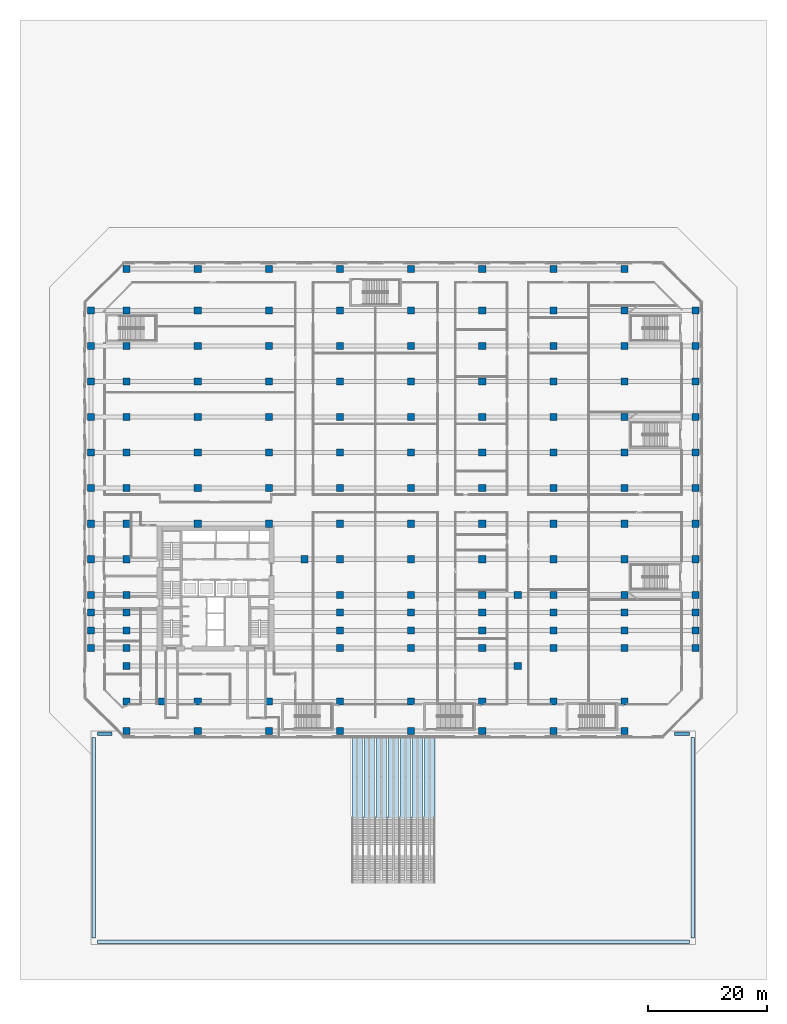
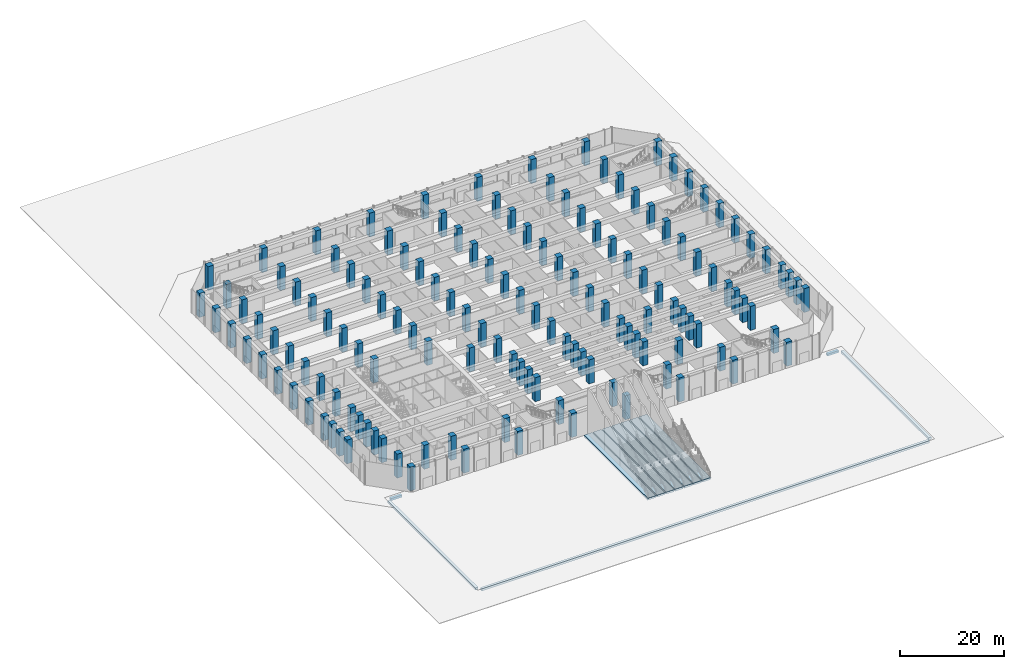
# One storey, part 1 of 32: 139 columns, 12 footings.
"""IFC4 building model written with IfcOpenShell, lengths in metres."""

from ifc_helpers import new_model, si_unit, direction, frame, origin, origin_2d, place, context, subcontext, project, spatial, rectangle, extrude, material, material_profile, profile_set, type_object, element, save


model = new_model("IFC4")

# Units and contexts
model_context = context("Model", 3, precision=1e-05, world=origin(), true_north=direction((0.0, 1.0)))
body_context = subcontext(model_context, "Body", "Model", "MODEL_VIEW")
ifc_project = project(units=[si_unit("LENGTHUNIT", "METRE"), si_unit("AREAUNIT", "SQUARE_METRE"), si_unit("VOLUMEUNIT", "CUBIC_METRE"), si_unit("PLANEANGLEUNIT", "RADIAN"), si_unit("MASSUNIT", "GRAM", prefix="KILO")], contexts=[model_context])

# Site, building, storey
site_placement = place(None, origin())
site = spatial("IfcSite", under=ifc_project, at=site_placement, CompositionType="ELEMENT")
building_placement = place(site_placement, origin())
building = spatial("IfcBuilding", under=site, at=building_placement, Name="Welwitschia Terrace Campus", CompositionType="ELEMENT")
storey_placement = place(building_placement, origin())
storey = spatial("IfcBuildingStorey", under=building, at=storey_placement, Name="L00", CompositionType="ELEMENT", Elevation=0.0)

# Footings
ifc_material_1 = material(Name="Concrete C40/50", Category="concrete")
footing_type_1 = type_object("IfcFootingType", Name="Edge strip footing 600x500", PredefinedType="STRIP_FOOTING", material=ifc_material_1)
for number, where, z_axis, x_axis, name in (
    (1, (93.70703125, -9.449951171875, -0.64990234375), (0.0, 0.0, 1.0), (-1.0, 0.0, 0.0), "Edge strip footing"),
    (2, (-3.70703125, -9.449951171875, -0.64990234375), (0.0, 0.0, 1.0), (-1.0, 0.0, 0.0), "Edge strip footing"),
):
    element("IfcFooting", number, at=place(storey_placement, frame(where, z_axis=z_axis, x_axis=x_axis)), inside=storey, type_object=footing_type_1, Name=name, PredefinedType="STRIP_FOOTING", context=body_context, shape_type="SweptSolid", body=[
        extrude(rectangle(XDim=2.48583984375, YDim=0.60009765625, at=origin_2d()), origin(), (0.0, 0.0, 1.0), 0.5),
    ])
footing_1_placement = place(storey_placement, frame((-5.550048828125, -27.0, -0.64990234375), z_axis=(0.0, 0.0, 1.0), x_axis=(0.0, -1.0, 0.0)))
element("IfcFooting", 3, at=footing_1_placement, inside=storey, type_object=footing_type_1, Name="Edge strip footing", PredefinedType="STRIP_FOOTING", context=body_context, shape_type="SweptSolid", body=[
    extrude(rectangle(XDim=33.89990234375, YDim=0.60009765625, at=origin_2d()), origin(), (0.0, 0.0, 1.0), 0.5),
])
footing_2_placement = place(storey_placement, frame((45.0, -44.550048828125, -0.64990234375), z_axis=(0.0, 0.0, 1.0), x_axis=(1.0, 0.0, 0.0)))
element("IfcFooting", 4, at=footing_2_placement, inside=storey, type_object=footing_type_1, Name="Edge strip footing", PredefinedType="STRIP_FOOTING", context=body_context, shape_type="SweptSolid", body=[
    extrude(rectangle(XDim=99.89990234375, YDim=0.60009765625, at=origin_2d()), origin(), (0.0, 0.0, 1.0), 0.5),
])
footing_3_placement = place(storey_placement, frame((95.550048828125, -27.0, -0.64990234375), z_axis=(0.0, 0.0, 1.0), x_axis=(0.0, 1.0, 0.0)))
element("IfcFooting", 5, at=footing_3_placement, inside=storey, type_object=footing_type_1, Name="Edge strip footing", PredefinedType="STRIP_FOOTING", context=body_context, shape_type="SweptSolid", body=[
    extrude(rectangle(XDim=33.89990234375, YDim=0.60009765625, at=origin_2d()), origin(), (0.0, 0.0, 1.0), 0.5),
])
ifc_material_2 = material(Name="Concrete C40/50", Category="concrete")
footing_type_2 = type_object("IfcFootingType", Name="Stair strip footing 1800x500", PredefinedType="STRIP_FOOTING", material=ifc_material_2)
for number, where, z_axis, x_axis, name in (
    (6, (38.892822265625, -22.300048828125, -0.5), (0.0, 0.0, 1.0), (1.0, 0.0, 0.0), "Stair strip footing"),
    (7, (40.9287109375, -22.300048828125, -0.5), (0.0, 0.0, 1.0), (1.0, 0.0, 0.0), "Stair strip footing"),
    (8, (42.96435546875, -22.300048828125, -0.5), (0.0, 0.0, 1.0), (1.0, 0.0, 0.0), "Stair strip footing"),
    (9, (45.0, -22.300048828125, -0.5), (0.0, 0.0, 1.0), (1.0, 0.0, 0.0), "Stair strip footing"),
    (10, (47.03564453125, -22.300048828125, -0.5), (0.0, 0.0, 1.0), (1.0, 0.0, 0.0), "Stair strip footing"),
    (11, (49.0712890625, -22.300048828125, -0.5), (0.0, 0.0, 1.0), (1.0, 0.0, 0.0), "Stair strip footing"),
    (12, (51.107177734375, -22.300048828125, -0.5), (0.0, 0.0, 1.0), (1.0, 0.0, 0.0), "Stair strip footing"),
):
    element("IfcFooting", number, at=place(storey_placement, frame(where, z_axis=z_axis, x_axis=x_axis)), inside=storey, type_object=footing_type_2, Name=name, PredefinedType="STRIP_FOOTING", context=body_context, shape_type="SweptSolid", body=[
        extrude(rectangle(XDim=1.800048828125, YDim=24.60009765625, at=origin_2d()), origin(), (0.0, 0.0, 1.0), 0.5),
    ])

# Columns
ifc_material_3 = material(Name="Concrete C60/75", Category="concrete")
ifc_material_profile = material_profile(ifc_material_3, rectangle(XDim=1.199951171875, YDim=1.199951171875, at=origin_2d()))
ifc_profile_set = profile_set([ifc_material_profile], Name="Concrete C60/75")
column_type = type_object("IfcColumnType", Name="Base column 1200x1200", PredefinedType="COLUMN", material=ifc_profile_set)
for number, where, z_axis, x_axis, name in (
    (13, (-6.0, 5.0, 0.0), (0.0, 0.0, 1.0), (1.0, 0.0, 0.0), "Column C1"),
    (14, (-6.0, 8.0, 0.0), (0.0, 0.0, 1.0), (1.0, 0.0, 0.0), "Column C1"),
    (15, (-6.0, 11.0, 0.0), (0.0, 0.0, 1.0), (1.0, 0.0, 0.0), "Column C1"),
    (16, (-6.0, 14.0, 0.0), (0.0, 0.0, 1.0), (1.0, 0.0, 0.0), "Column C1"),
    (17, (-6.0, 20.0, 0.0), (0.0, 0.0, 1.0), (1.0, 0.0, 0.0), "Column C1"),
    (18, (-6.0, 26.0, 0.0), (0.0, 0.0, 1.0), (1.0, 0.0, 0.0), "Column C1"),
    (19, (-6.0, 32.0, 0.0), (0.0, 0.0, 1.0), (1.0, 0.0, 0.0), "Column C1"),
    (20, (-6.0, 38.0, 0.0), (0.0, 0.0, 1.0), (1.0, 0.0, 0.0), "Column C1"),
    (21, (-6.0, 44.0, 0.0), (0.0, 0.0, 1.0), (1.0, 0.0, 0.0), "Column C1"),
    (22, (-6.0, 50.0, 0.0), (0.0, 0.0, 1.0), (1.0, 0.0, 0.0), "Column C1"),
    (23, (-6.0, 56.0, 0.0), (0.0, 0.0, 1.0), (1.0, 0.0, 0.0), "Column C1"),
    (24, (-6.0, 62.0, 0.0), (0.0, 0.0, 1.0), (1.0, 0.0, 0.0), "Column C1"),
    (25, (0.0, -9.0, 0.0), (0.0, 0.0, 1.0), (1.0, 0.0, 0.0), "Column C1"),
    (26, (0.0, -4.0, 0.0), (0.0, 0.0, 1.0), (1.0, 0.0, 0.0), "Column C1"),
    (27, (0.0, 2.0, 0.0), (0.0, 0.0, 1.0), (1.0, 0.0, 0.0), "Column C1"),
    (28, (0.0, 5.0, 0.0), (0.0, 0.0, 1.0), (1.0, 0.0, 0.0), "Column C1"),
    (29, (0.0, 8.0, 0.0), (0.0, 0.0, 1.0), (1.0, 0.0, 0.0), "Column C1"),
    (30, (0.0, 11.0, 0.0), (0.0, 0.0, 1.0), (1.0, 0.0, 0.0), "Column C1"),
    (31, (0.0, 14.0, 0.0), (0.0, 0.0, 1.0), (1.0, 0.0, 0.0), "Column C1"),
    (32, (0.0, 20.0, 0.0), (0.0, 0.0, 1.0), (1.0, 0.0, 0.0), "Column C1"),
    (33, (0.0, 26.0, 0.0), (0.0, 0.0, 1.0), (1.0, 0.0, 0.0), "Column C1"),
    (34, (0.0, 32.0, 0.0), (0.0, 0.0, 1.0), (1.0, 0.0, 0.0), "Column C1"),
    (35, (0.0, 38.0, 0.0), (0.0, 0.0, 1.0), (1.0, 0.0, 0.0), "Column C1"),
    (36, (0.0, 44.0, 0.0), (0.0, 0.0, 1.0), (1.0, 0.0, 0.0), "Column C1"),
    (37, (0.0, 50.0, 0.0), (0.0, 0.0, 1.0), (1.0, 0.0, 0.0), "Column C1"),
    (38, (0.0, 56.0, 0.0), (0.0, 0.0, 1.0), (1.0, 0.0, 0.0), "Column C1"),
    (39, (0.0, 62.0, 0.0), (0.0, 0.0, 1.0), (1.0, 0.0, 0.0), "Column C1"),
    (40, (0.0, 69.0, 0.0), (0.0, 0.0, 1.0), (1.0, 0.0, 0.0), "Column C1"),
    (41, (6.0, -4.0, 0.0), (0.0, 0.0, 1.0), (1.0, 0.0, 0.0), "Column C1"),
    (42, (12.0, -9.0, 0.0), (0.0, 0.0, 1.0), (1.0, 0.0, 0.0), "Column C1"),
    (43, (12.0, -4.0, 0.0), (0.0, 0.0, 1.0), (1.0, 0.0, 0.0), "Column C1"),
    (44, (12.0, 26.0, 0.0), (0.0, 0.0, 1.0), (1.0, 0.0, 0.0), "Column C1"),
    (45, (12.0, 32.0, 0.0), (0.0, 0.0, 1.0), (1.0, 0.0, 0.0), "Column C1"),
    (46, (12.0, 38.0, 0.0), (0.0, 0.0, 1.0), (1.0, 0.0, 0.0), "Column C1"),
    (47, (12.0, 44.0, 0.0), (0.0, 0.0, 1.0), (1.0, 0.0, 0.0), "Column C1"),
    (48, (12.0, 50.0, 0.0), (0.0, 0.0, 1.0), (1.0, 0.0, 0.0), "Column C1"),
    (49, (12.0, 56.0, 0.0), (0.0, 0.0, 1.0), (1.0, 0.0, 0.0), "Column C1"),
    (50, (12.0, 62.0, 0.0), (0.0, 0.0, 1.0), (1.0, 0.0, 0.0), "Column C1"),
    (51, (12.0, 69.0, 0.0), (0.0, 0.0, 1.0), (1.0, 0.0, 0.0), "Column C1"),
    (52, (24.0, -9.0, 0.0), (0.0, 0.0, 1.0), (1.0, 0.0, 0.0), "Column C1"),
    (53, (24.0, -4.0, 0.0), (0.0, 0.0, 1.0), (1.0, 0.0, 0.0), "Column C1"),
    (54, (24.0, 26.0, 0.0), (0.0, 0.0, 1.0), (1.0, 0.0, 0.0), "Column C1"),
    (55, (24.0, 32.0, 0.0), (0.0, 0.0, 1.0), (1.0, 0.0, 0.0), "Column C1"),
    (56, (24.0, 38.0, 0.0), (0.0, 0.0, 1.0), (1.0, 0.0, 0.0), "Column C1"),
    (57, (24.0, 44.0, 0.0), (0.0, 0.0, 1.0), (1.0, 0.0, 0.0), "Column C1"),
    (58, (24.0, 50.0, 0.0), (0.0, 0.0, 1.0), (1.0, 0.0, 0.0), "Column C1"),
    (59, (24.0, 56.0, 0.0), (0.0, 0.0, 1.0), (1.0, 0.0, 0.0), "Column C1"),
    (60, (24.0, 62.0, 0.0), (0.0, 0.0, 1.0), (1.0, 0.0, 0.0), "Column C1"),
    (61, (24.0, 69.0, 0.0), (0.0, 0.0, 1.0), (1.0, 0.0, 0.0), "Column C1"),
    (62, (30.0, 20.0, 0.0), (0.0, 0.0, 1.0), (1.0, 0.0, 0.0), "Column C1"),
    (63, (36.0, -9.0, 0.0), (0.0, 0.0, 1.0), (1.0, 0.0, 0.0), "Column C1"),
    (64, (36.0, -4.0, 0.0), (0.0, 0.0, 1.0), (1.0, 0.0, 0.0), "Column C1"),
    (65, (36.0, 5.0, 0.0), (0.0, 0.0, 1.0), (1.0, 0.0, 0.0), "Column C1"),
    (66, (36.0, 8.0, 0.0), (0.0, 0.0, 1.0), (1.0, 0.0, 0.0), "Column C1"),
    (67, (36.0, 11.0, 0.0), (0.0, 0.0, 1.0), (1.0, 0.0, 0.0), "Column C1"),
    (68, (36.0, 14.0, 0.0), (0.0, 0.0, 1.0), (1.0, 0.0, 0.0), "Column C1"),
    (69, (36.0, 20.0, 0.0), (0.0, 0.0, 1.0), (1.0, 0.0, 0.0), "Column C1"),
    (70, (36.0, 26.0, 0.0), (0.0, 0.0, 1.0), (1.0, 0.0, 0.0), "Column C1"),
    (71, (36.0, 32.0, 0.0), (0.0, 0.0, 1.0), (1.0, 0.0, 0.0), "Column C1"),
    (72, (36.0, 38.0, 0.0), (0.0, 0.0, 1.0), (1.0, 0.0, 0.0), "Column C1"),
    (73, (36.0, 44.0, 0.0), (0.0, 0.0, 1.0), (1.0, 0.0, 0.0), "Column C1"),
    (74, (36.0, 50.0, 0.0), (0.0, 0.0, 1.0), (1.0, 0.0, 0.0), "Column C1"),
    (75, (36.0, 56.0, 0.0), (0.0, 0.0, 1.0), (1.0, 0.0, 0.0), "Column C1"),
    (76, (36.0, 62.0, 0.0), (0.0, 0.0, 1.0), (1.0, 0.0, 0.0), "Column C1"),
    (77, (36.0, 69.0, 0.0), (0.0, 0.0, 1.0), (1.0, 0.0, 0.0), "Column C1"),
    (78, (48.0, -9.0, 0.0), (0.0, 0.0, 1.0), (1.0, 0.0, 0.0), "Column C1"),
    (79, (48.0, -4.0, 0.0), (0.0, 0.0, 1.0), (1.0, 0.0, 0.0), "Column C1"),
    (80, (48.0, 5.0, 0.0), (0.0, 0.0, 1.0), (1.0, 0.0, 0.0), "Column C1"),
    (81, (48.0, 8.0, 0.0), (0.0, 0.0, 1.0), (1.0, 0.0, 0.0), "Column C1"),
    (82, (48.0, 11.0, 0.0), (0.0, 0.0, 1.0), (1.0, 0.0, 0.0), "Column C1"),
    (83, (48.0, 14.0, 0.0), (0.0, 0.0, 1.0), (1.0, 0.0, 0.0), "Column C1"),
    (84, (48.0, 20.0, 0.0), (0.0, 0.0, 1.0), (1.0, 0.0, 0.0), "Column C1"),
    (85, (48.0, 26.0, 0.0), (0.0, 0.0, 1.0), (1.0, 0.0, 0.0), "Column C1"),
    (86, (48.0, 32.0, 0.0), (0.0, 0.0, 1.0), (1.0, 0.0, 0.0), "Column C1"),
    (87, (48.0, 38.0, 0.0), (0.0, 0.0, 1.0), (1.0, 0.0, 0.0), "Column C1"),
    (88, (48.0, 44.0, 0.0), (0.0, 0.0, 1.0), (1.0, 0.0, 0.0), "Column C1"),
    (89, (48.0, 50.0, 0.0), (0.0, 0.0, 1.0), (1.0, 0.0, 0.0), "Column C1"),
    (90, (48.0, 56.0, 0.0), (0.0, 0.0, 1.0), (1.0, 0.0, 0.0), "Column C1"),
    (91, (48.0, 62.0, 0.0), (0.0, 0.0, 1.0), (1.0, 0.0, 0.0), "Column C1"),
    (92, (48.0, 69.0, 0.0), (0.0, 0.0, 1.0), (1.0, 0.0, 0.0), "Column C1"),
    (93, (60.0, -9.0, 0.0), (0.0, 0.0, 1.0), (1.0, 0.0, 0.0), "Column C1"),
    (94, (60.0, -4.0, 0.0), (0.0, 0.0, 1.0), (1.0, 0.0, 0.0), "Column C1"),
    (95, (60.0, 5.0, 0.0), (0.0, 0.0, 1.0), (1.0, 0.0, 0.0), "Column C1"),
    (96, (60.0, 8.0, 0.0), (0.0, 0.0, 1.0), (1.0, 0.0, 0.0), "Column C1"),
    (97, (60.0, 11.0, 0.0), (0.0, 0.0, 1.0), (1.0, 0.0, 0.0), "Column C1"),
    (98, (60.0, 14.0, 0.0), (0.0, 0.0, 1.0), (1.0, 0.0, 0.0), "Column C1"),
    (99, (60.0, 20.0, 0.0), (0.0, 0.0, 1.0), (1.0, 0.0, 0.0), "Column C1"),
    (100, (60.0, 26.0, 0.0), (0.0, 0.0, 1.0), (1.0, 0.0, 0.0), "Column C1"),
    (101, (60.0, 32.0, 0.0), (0.0, 0.0, 1.0), (1.0, 0.0, 0.0), "Column C1"),
    (102, (60.0, 38.0, 0.0), (0.0, 0.0, 1.0), (1.0, 0.0, 0.0), "Column C1"),
    (103, (60.0, 44.0, 0.0), (0.0, 0.0, 1.0), (1.0, 0.0, 0.0), "Column C1"),
    (104, (60.0, 50.0, 0.0), (0.0, 0.0, 1.0), (1.0, 0.0, 0.0), "Column C1"),
    (105, (60.0, 56.0, 0.0), (0.0, 0.0, 1.0), (1.0, 0.0, 0.0), "Column C1"),
    (106, (60.0, 62.0, 0.0), (0.0, 0.0, 1.0), (1.0, 0.0, 0.0), "Column C1"),
    (107, (60.0, 69.0, 0.0), (0.0, 0.0, 1.0), (1.0, 0.0, 0.0), "Column C1"),
    (108, (66.0, 2.0, 0.0), (0.0, 0.0, 1.0), (1.0, 0.0, 0.0), "Column C1"),
    (109, (66.0, 14.0, 0.0), (0.0, 0.0, 1.0), (1.0, 0.0, 0.0), "Column C1"),
    (110, (72.0, -9.0, 0.0), (0.0, 0.0, 1.0), (1.0, 0.0, 0.0), "Column C1"),
    (111, (72.0, -4.0, 0.0), (0.0, 0.0, 1.0), (1.0, 0.0, 0.0), "Column C1"),
    (112, (72.0, 5.0, 0.0), (0.0, 0.0, 1.0), (1.0, 0.0, 0.0), "Column C1"),
    (113, (72.0, 8.0, 0.0), (0.0, 0.0, 1.0), (1.0, 0.0, 0.0), "Column C1"),
    (114, (72.0, 11.0, 0.0), (0.0, 0.0, 1.0), (1.0, 0.0, 0.0), "Column C1"),
    (115, (72.0, 14.0, 0.0), (0.0, 0.0, 1.0), (1.0, 0.0, 0.0), "Column C1"),
    (116, (72.0, 20.0, 0.0), (0.0, 0.0, 1.0), (1.0, 0.0, 0.0), "Column C1"),
    (117, (72.0, 26.0, 0.0), (0.0, 0.0, 1.0), (1.0, 0.0, 0.0), "Column C1"),
    (118, (72.0, 32.0, 0.0), (0.0, 0.0, 1.0), (1.0, 0.0, 0.0), "Column C1"),
    (119, (72.0, 38.0, 0.0), (0.0, 0.0, 1.0), (1.0, 0.0, 0.0), "Column C1"),
    (120, (72.0, 44.0, 0.0), (0.0, 0.0, 1.0), (1.0, 0.0, 0.0), "Column C1"),
    (121, (72.0, 50.0, 0.0), (0.0, 0.0, 1.0), (1.0, 0.0, 0.0), "Column C1"),
    (122, (72.0, 56.0, 0.0), (0.0, 0.0, 1.0), (1.0, 0.0, 0.0), "Column C1"),
    (123, (72.0, 62.0, 0.0), (0.0, 0.0, 1.0), (1.0, 0.0, 0.0), "Column C1"),
    (124, (72.0, 69.0, 0.0), (0.0, 0.0, 1.0), (1.0, 0.0, 0.0), "Column C1"),
    (125, (84.0, -9.0, 0.0), (0.0, 0.0, 1.0), (1.0, 0.0, 0.0), "Column C1"),
    (126, (84.0, -4.0, 0.0), (0.0, 0.0, 1.0), (1.0, 0.0, 0.0), "Column C1"),
    (127, (84.0, 5.0, 0.0), (0.0, 0.0, 1.0), (1.0, 0.0, 0.0), "Column C1"),
    (128, (84.0, 8.0, 0.0), (0.0, 0.0, 1.0), (1.0, 0.0, 0.0), "Column C1"),
    (129, (84.0, 11.0, 0.0), (0.0, 0.0, 1.0), (1.0, 0.0, 0.0), "Column C1"),
    (130, (84.0, 14.0, 0.0), (0.0, 0.0, 1.0), (1.0, 0.0, 0.0), "Column C1"),
    (131, (84.0, 20.0, 0.0), (0.0, 0.0, 1.0), (1.0, 0.0, 0.0), "Column C1"),
    (132, (84.0, 26.0, 0.0), (0.0, 0.0, 1.0), (1.0, 0.0, 0.0), "Column C1"),
    (133, (84.0, 32.0, 0.0), (0.0, 0.0, 1.0), (1.0, 0.0, 0.0), "Column C1"),
    (134, (84.0, 38.0, 0.0), (0.0, 0.0, 1.0), (1.0, 0.0, 0.0), "Column C1"),
    (135, (84.0, 44.0, 0.0), (0.0, 0.0, 1.0), (1.0, 0.0, 0.0), "Column C1"),
    (136, (84.0, 50.0, 0.0), (0.0, 0.0, 1.0), (1.0, 0.0, 0.0), "Column C1"),
    (137, (84.0, 56.0, 0.0), (0.0, 0.0, 1.0), (1.0, 0.0, 0.0), "Column C1"),
    (138, (84.0, 62.0, 0.0), (0.0, 0.0, 1.0), (1.0, 0.0, 0.0), "Column C1"),
    (139, (84.0, 69.0, 0.0), (0.0, 0.0, 1.0), (1.0, 0.0, 0.0), "Column C1"),
    (140, (96.0, 5.0, 0.0), (0.0, 0.0, 1.0), (1.0, 0.0, 0.0), "Column C1"),
    (141, (96.0, 8.0, 0.0), (0.0, 0.0, 1.0), (1.0, 0.0, 0.0), "Column C1"),
    (142, (96.0, 11.0, 0.0), (0.0, 0.0, 1.0), (1.0, 0.0, 0.0), "Column C1"),
    (143, (96.0, 14.0, 0.0), (0.0, 0.0, 1.0), (1.0, 0.0, 0.0), "Column C1"),
    (144, (96.0, 20.0, 0.0), (0.0, 0.0, 1.0), (1.0, 0.0, 0.0), "Column C1"),
    (145, (96.0, 26.0, 0.0), (0.0, 0.0, 1.0), (1.0, 0.0, 0.0), "Column C1"),
    (146, (96.0, 32.0, 0.0), (0.0, 0.0, 1.0), (1.0, 0.0, 0.0), "Column C1"),
    (147, (96.0, 38.0, 0.0), (0.0, 0.0, 1.0), (1.0, 0.0, 0.0), "Column C1"),
    (148, (96.0, 44.0, 0.0), (0.0, 0.0, 1.0), (1.0, 0.0, 0.0), "Column C1"),
    (149, (96.0, 50.0, 0.0), (0.0, 0.0, 1.0), (1.0, 0.0, 0.0), "Column C1"),
    (150, (96.0, 56.0, 0.0), (0.0, 0.0, 1.0), (1.0, 0.0, 0.0), "Column C1"),
    (151, (96.0, 62.0, 0.0), (0.0, 0.0, 1.0), (1.0, 0.0, 0.0), "Column C1"),
):
    element("IfcColumn", number, at=place(storey_placement, frame(where, z_axis=z_axis, x_axis=x_axis)), inside=storey, type_object=column_type, Name=name, PredefinedType="COLUMN", context=body_context, shape_type="SweptSolid", body=[
        extrude(rectangle(XDim=1.199951171875, YDim=1.199951171875, at=origin_2d()), origin(), (0.0, 0.0, 1.0), 5.64990234375),
    ])

save(model, "model.ifc")
